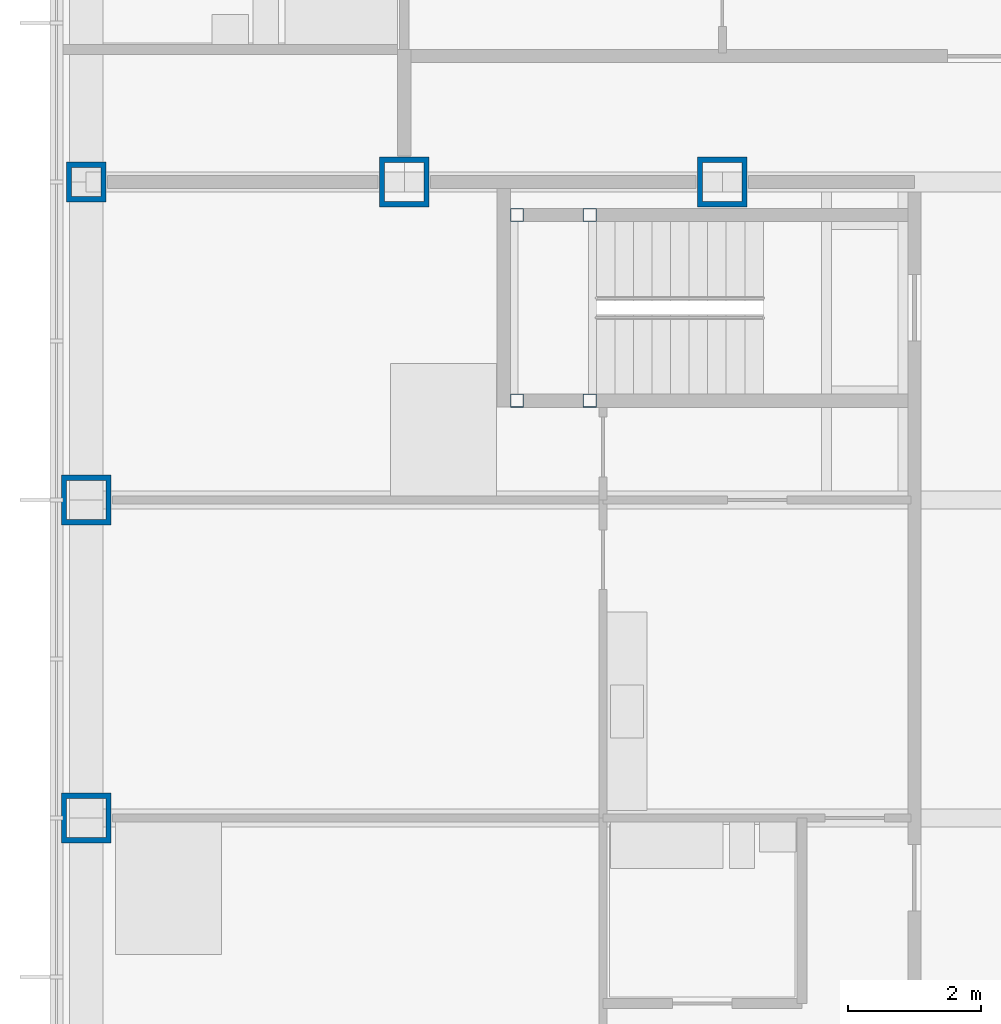
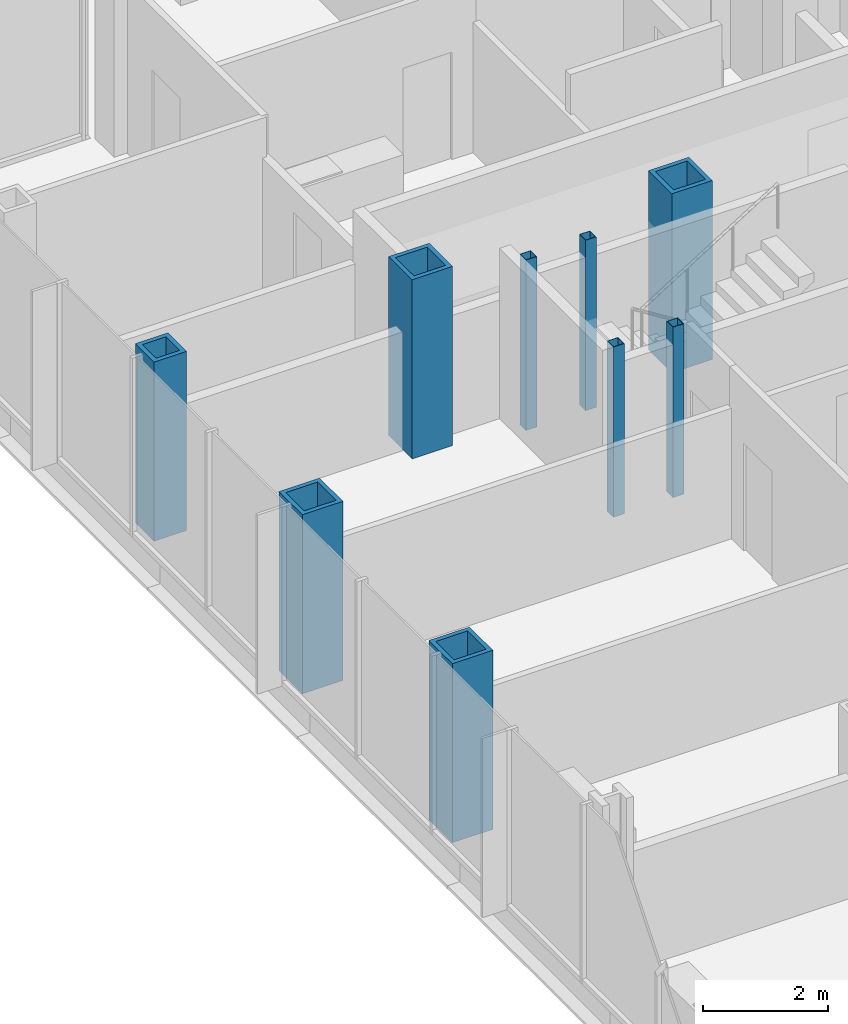
# One storey, part 3 of 21: 9 columns.
"""IFC4 building model written with IfcOpenShell, lengths in metres."""

from ifc_helpers import new_model, si_unit, direction, frame, origin, origin_2d, place, context, subcontext, project, spatial, hollow_rectangle, extrude, material, material_profile, profile_set, type_object, element, save


model = new_model("IFC4")

# Units and contexts
model_context = context("Model", 3, precision=1e-05, world=origin(), true_north=direction((0.0, 1.0)))
body_context = subcontext(model_context, "Body", "Model", "MODEL_VIEW")
ifc_project = project(units=[si_unit("LENGTHUNIT", "METRE"), si_unit("AREAUNIT", "SQUARE_METRE"), si_unit("VOLUMEUNIT", "CUBIC_METRE"), si_unit("PLANEANGLEUNIT", "RADIAN"), si_unit("MASSUNIT", "GRAM", prefix="KILO")], contexts=[model_context])

# Site, building, storey
site_placement = place(None, origin())
site = spatial("IfcSite", under=ifc_project, at=site_placement, CompositionType="ELEMENT")
building_placement = place(site_placement, origin())
building = spatial("IfcBuilding", under=site, at=building_placement, Name="Kvirike Care Tower", CompositionType="ELEMENT")
storey_placement = place(building_placement, frame((0.0, 0.0, 44.5)))
storey = spatial("IfcBuildingStorey", under=building, at=storey_placement, Name="L11", CompositionType="ELEMENT", Elevation=44.5)

# Columns
ifc_material_1 = material(Name="Steel S460", Category="steel")
ifc_material_profile_1 = material_profile(ifc_material_1, hollow_rectangle(XDim=0.60009765625, YDim=0.60009765625, WallThickness=0.080078125, at=origin_2d()), Name="BX 600x600x80")
ifc_profile_set_1 = profile_set([ifc_material_profile_1], Name="Steel S460")
column_type_1 = type_object("IfcColumnType", Name="COLUMN BX 600x600x80", PredefinedType="COLUMN", material=ifc_profile_set_1)
column_placement = place(storey_placement, frame((0.0, 43.199951171875, 0.0), z_axis=(0.0, 0.0, 1.0), x_axis=(0.0, 1.0, 0.0)))
element("IfcColumn", 1, at=column_placement, inside=storey, type_object=column_type_1, Name="Column K3 L11", PredefinedType="COLUMN", context=body_context, shape_type="SweptSolid", body=[
    extrude(hollow_rectangle(XDim=0.60009765625, YDim=0.60009765625, WallThickness=0.080078125, at=origin_2d()), origin(), (0.0, 0.0, 1.0), 3.5),
])
ifc_material_2 = material(Name="Steel S460", Category="steel")
ifc_material_profile_2 = material_profile(ifc_material_2, hollow_rectangle(XDim=0.75, YDim=0.75, WallThickness=0.080078125, at=origin_2d()), Name="BX 750x750x80")
ifc_profile_set_2 = profile_set([ifc_material_profile_2], Name="Steel S460")
column_type_2 = type_object("IfcColumnType", Name="COLUMN BX 750x750x80", PredefinedType="COLUMN", material=ifc_profile_set_2)
for number, where, z_axis, x_axis, name in (
    (2, (0.0, 33.60009765625, 0.0), (0.0, 0.0, 1.0), (1.0, 0.0, 0.0), "Column H3 L11"),
    (3, (0.0, 38.39990234375, 0.0), (0.0, 0.0, 1.0), (1.0, 0.0, 0.0), "Column J3 L11"),
    (4, (4.800048828125, 43.199951171875, 0.0), (0.0, 0.0, 1.0), (0.0, 1.0, 0.0), "Column K4 L11"),
    (5, (9.60009765625, 43.199951171875, 0.0), (0.0, 0.0, 1.0), (0.0, 1.0, 0.0), "Column K5 L11"),
):
    element("IfcColumn", number, at=place(storey_placement, frame(where, z_axis=z_axis, x_axis=x_axis)), inside=storey, type_object=column_type_2, Name=name, PredefinedType="COLUMN", context=body_context, shape_type="SweptSolid", body=[
        extrude(hollow_rectangle(XDim=0.75, YDim=0.75, WallThickness=0.080078125, at=origin_2d()), origin(), (0.0, 0.0, 1.0), 3.5),
    ])
ifc_material_3 = material(Name="Steel S460", Category="steel")
ifc_material_profile_3 = material_profile(ifc_material_3, hollow_rectangle(XDim=0.199951171875, YDim=0.199951171875, WallThickness=0.008056640625, at=origin_2d()), Name="SHS 200x200x8")
ifc_profile_set_3 = profile_set([ifc_material_profile_3], Name="Steel S460")
column_type_3 = type_object("IfcColumnType", Name="STAIR POST SHS 200x200x8", PredefinedType="COLUMN", material=ifc_profile_set_3)
for number, where, z_axis, x_axis, name in (
    (6, (6.5, 42.699951171875, 0.0), (0.0, 0.0, 1.0), (1.0, 0.0, 0.0), "Stair 1 post 1 L11"),
    (7, (6.5, 39.89990234375, 0.0), (0.0, 0.0, 1.0), (1.0, 0.0, 0.0), "Stair 1 post 2 L11"),
    (8, (7.60009765625, 42.699951171875, 0.0), (0.0, 0.0, 1.0), (1.0, 0.0, 0.0), "Stair 1 post 3 L11"),
    (9, (7.60009765625, 39.89990234375, 0.0), (0.0, 0.0, 1.0), (1.0, 0.0, 0.0), "Stair 1 post 4 L11"),
):
    element("IfcColumn", number, at=place(storey_placement, frame(where, z_axis=z_axis, x_axis=x_axis)), inside=storey, type_object=column_type_3, Name=name, PredefinedType="COLUMN", context=body_context, shape_type="SweptSolid", body=[
        extrude(hollow_rectangle(XDim=0.199951171875, YDim=0.199951171875, WallThickness=0.008056640625, at=origin_2d()), origin(), (0.0, 0.0, 1.0), 3.330078125),
    ])

save(model, "model.ifc")
